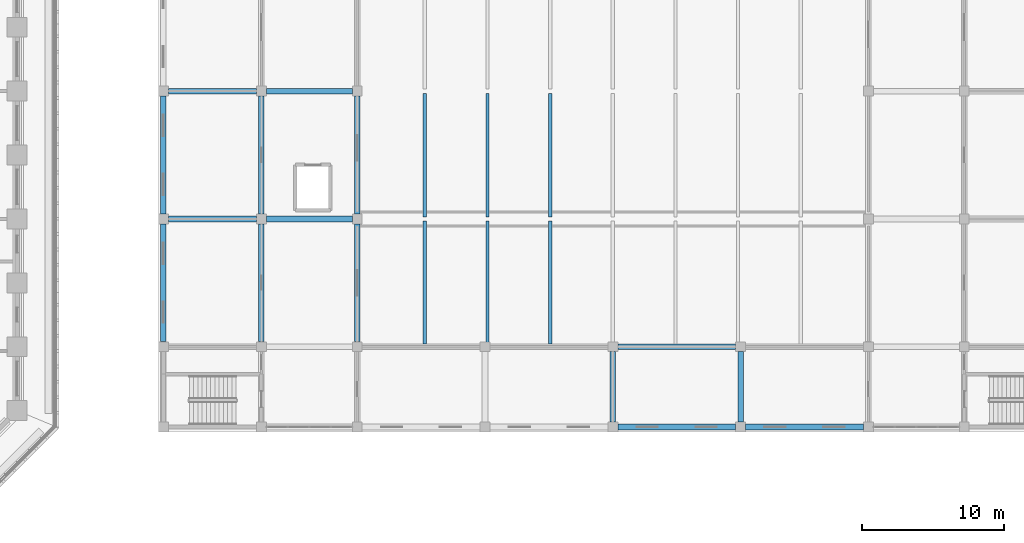
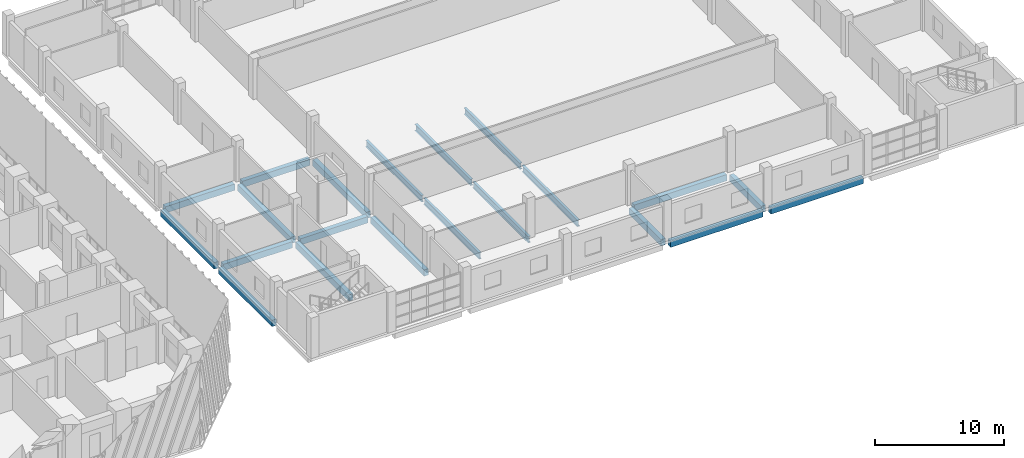
# One storey, part 3 of 31: 21 beams.
"""IFC4 building model written with IfcOpenShell, lengths in metres."""

from ifc_helpers import new_model, si_unit, direction, frame, origin, origin_2d, place, context, subcontext, project, spatial, rectangle, i_section, extrude, material, material_profile, profile_set, type_object, element, save


model = new_model("IFC4")

# Units and contexts
model_context = context("Model", 3, precision=1e-05, world=origin(), true_north=direction((0.0, 1.0)))
body_context = subcontext(model_context, "Body", "Model", "MODEL_VIEW")
ifc_project = project(units=[si_unit("LENGTHUNIT", "METRE"), si_unit("AREAUNIT", "SQUARE_METRE"), si_unit("VOLUMEUNIT", "CUBIC_METRE"), si_unit("PLANEANGLEUNIT", "RADIAN"), si_unit("MASSUNIT", "GRAM", prefix="KILO")], contexts=[model_context])

# Site, building, storey
site_placement = place(None, origin())
site = spatial("IfcSite", under=ifc_project, at=site_placement, CompositionType="ELEMENT")
building_placement = place(site_placement, origin())
building = spatial("IfcBuilding", under=site, at=building_placement, Name="Corbel Stack Research Tower", CompositionType="ELEMENT")
storey_placement = place(building_placement, frame((0.0, 0.0, 15.39990234375)))
storey = spatial("IfcBuildingStorey", under=building, at=storey_placement, Name="L03", CompositionType="ELEMENT", Elevation=15.39990234375)

# Beams
ifc_material_1 = material(Name="Concrete C40/50", Category="concrete")
ifc_material_profile_1 = material_profile(ifc_material_1, rectangle(XDim=0.39990234375, YDim=0.60009765625, at=origin_2d()), Name="RC 400 x 600")
ifc_profile_set_1 = profile_set([ifc_material_profile_1], Name="Concrete C40/50")
beam_type_1 = type_object("IfcBeamType", Name="HB1 RC beam 400 x 600", PredefinedType="BEAM", material=ifc_profile_set_1)
beam_1_placement = place(storey_placement, frame((37.300048828125, -17.64990234375, -0.5498046875), z_axis=(0.0, 1.0, 0.0), x_axis=(-1.0, 0.0, 0.0)))
element("IfcBeam", 1, at=beam_1_placement, inside=storey, type_object=beam_type_1, Name="Floor beam L03 H1HB-H1HC", PredefinedType="BEAM", context=body_context, shape_type="SweptSolid", body=[
    extrude(rectangle(XDim=0.39990234375, YDim=0.60009765625, at=origin_2d()), origin(), (0.0, 0.0, 1.0), 8.2998046875),
])
beam_2_placement = place(storey_placement, frame((37.64990234375, -9.0, -0.5498046875), z_axis=(1.0, 0.0, 0.0), x_axis=(0.0, 1.0, 0.0)))
element("IfcBeam", 2, at=beam_2_placement, inside=storey, type_object=beam_type_1, Name="Floor beam L03 H1HC-H2HC", PredefinedType="BEAM", context=body_context, shape_type="SweptSolid", body=[
    extrude(rectangle(XDim=0.39990234375, YDim=0.60009765625, at=origin_2d()), origin(), (0.0, 0.0, 1.0), 6.2001953125),
])
beam_3_placement = place(storey_placement, frame((37.300048828125, -8.64990234375, -0.5498046875), z_axis=(0.0, 1.0, 0.0), x_axis=(-1.0, 0.0, 0.0)))
element("IfcBeam", 3, at=beam_3_placement, inside=storey, type_object=beam_type_1, Name="Floor beam L03 H1HC-H1HD", PredefinedType="BEAM", context=body_context, shape_type="SweptSolid", body=[
    extrude(rectangle(XDim=0.39990234375, YDim=0.60009765625, at=origin_2d()), origin(), (0.0, 0.0, 1.0), 8.2998046875),
])
beam_4_placement = place(storey_placement, frame((37.64990234375, 0.0, -0.5498046875), z_axis=(1.0, 0.0, 0.0), x_axis=(0.0, 1.0, 0.0)))
element("IfcBeam", 4, at=beam_4_placement, inside=storey, type_object=beam_type_1, Name="Floor beam L03 H1HD-H2HD", PredefinedType="BEAM", context=body_context, shape_type="SweptSolid", body=[
    extrude(rectangle(XDim=0.39990234375, YDim=0.60009765625, at=origin_2d()), origin(), (0.0, 0.0, 1.0), 6.2001953125),
])
beam_5_placement = place(storey_placement, frame((44.199951171875, -17.64990234375, -0.5498046875), z_axis=(0.0, 1.0, 0.0), x_axis=(-1.0, 0.0, 0.0)))
element("IfcBeam", 5, at=beam_5_placement, inside=storey, type_object=beam_type_1, Name="Floor beam L03 H2HB-H2HC", PredefinedType="BEAM", context=body_context, shape_type="SweptSolid", body=[
    extrude(rectangle(XDim=0.39990234375, YDim=0.60009765625, at=origin_2d()), origin(), (0.0, 0.0, 1.0), 8.2998046875),
])
beam_6_placement = place(storey_placement, frame((44.550048828125, -9.0, -0.5498046875), z_axis=(1.0, 0.0, 0.0), x_axis=(0.0, 1.0, 0.0)))
element("IfcBeam", 6, at=beam_6_placement, inside=storey, type_object=beam_type_1, Name="Floor beam L03 H2HC-H3HC", PredefinedType="BEAM", context=body_context, shape_type="SweptSolid", body=[
    extrude(rectangle(XDim=0.39990234375, YDim=0.60009765625, at=origin_2d()), origin(), (0.0, 0.0, 1.0), 6.050048828125),
])
beam_7_placement = place(storey_placement, frame((44.199951171875, -8.64990234375, -0.5498046875), z_axis=(0.0, 1.0, 0.0), x_axis=(-1.0, 0.0, 0.0)))
element("IfcBeam", 7, at=beam_7_placement, inside=storey, type_object=beam_type_1, Name="Floor beam L03 H2HC-H2HD", PredefinedType="BEAM", context=body_context, shape_type="SweptSolid", body=[
    extrude(rectangle(XDim=0.39990234375, YDim=0.60009765625, at=origin_2d()), origin(), (0.0, 0.0, 1.0), 8.2998046875),
])
beam_8_placement = place(storey_placement, frame((44.550048828125, 0.0, -0.5498046875), z_axis=(1.0, 0.0, 0.0), x_axis=(0.0, 1.0, 0.0)))
element("IfcBeam", 8, at=beam_8_placement, inside=storey, type_object=beam_type_1, Name="Floor beam L03 H2HD-H3HD", PredefinedType="BEAM", context=body_context, shape_type="SweptSolid", body=[
    extrude(rectangle(XDim=0.39990234375, YDim=0.60009765625, at=origin_2d()), origin(), (0.0, 0.0, 1.0), 6.050048828125),
])
for number, where, z_axis, x_axis, name in (
    (9, (50.949951171875, -17.64990234375, -0.5498046875), (0.0, 1.0, 0.0), (-1.0, 0.0, 0.0), "Floor beam L03 H3HB-H3HC"),
    (10, (50.949951171875, -8.64990234375, -0.5498046875), (0.0, 1.0, 0.0), (-1.0, 0.0, 0.0), "Floor beam L03 H3HC-H3HD"),
):
    element("IfcBeam", number, at=place(storey_placement, frame(where, z_axis=z_axis, x_axis=x_axis)), inside=storey, type_object=beam_type_1, Name=name, PredefinedType="BEAM", context=body_context, shape_type="SweptSolid", body=[
        extrude(rectangle(XDim=0.39990234375, YDim=0.60009765625, at=origin_2d()), origin(), (0.0, 0.0, 1.0), 8.2998046875),
    ])
beam_9_placement = place(storey_placement, frame((69.300048828125, -23.64990234375, -0.5498046875), z_axis=(1.0, 0.0, 0.0), x_axis=(0.0, 1.0, 0.0)))
element("IfcBeam", 11, at=beam_9_placement, inside=storey, type_object=beam_type_1, Name="Floor beam L03 H5HA-H6HA", PredefinedType="BEAM", context=body_context, shape_type="SweptSolid", body=[
    extrude(rectangle(XDim=0.39990234375, YDim=0.60009765625, at=origin_2d()), origin(), (0.0, 0.0, 1.0), 8.300048828125),
])
beam_10_placement = place(storey_placement, frame((68.949951171875, -23.300048828125, -0.5498046875), z_axis=(0.0, 1.0, 0.0), x_axis=(-1.0, 0.0, 0.0)))
element("IfcBeam", 12, at=beam_10_placement, inside=storey, type_object=beam_type_1, Name="Floor beam L03 H5HA-H5HB", PredefinedType="BEAM", context=body_context, shape_type="SweptSolid", body=[
    extrude(rectangle(XDim=0.39990234375, YDim=0.60009765625, at=origin_2d()), origin(), (0.0, 0.0, 1.0), 4.949951171875),
])
for number, where, z_axis, x_axis, name in (
    (13, (69.300048828125, -18.0, -0.5498046875), (1.0, 0.0, 0.0), (0.0, 1.0, 0.0), "Floor beam L03 H5HB-H6HB"),
    (14, (78.300048828125, -23.64990234375, -0.5498046875), (1.0, 0.0, 0.0), (0.0, 1.0, 0.0), "Floor beam L03 H6HA-H7HA"),
):
    element("IfcBeam", number, at=place(storey_placement, frame(where, z_axis=z_axis, x_axis=x_axis)), inside=storey, type_object=beam_type_1, Name=name, PredefinedType="BEAM", context=body_context, shape_type="SweptSolid", body=[
        extrude(rectangle(XDim=0.39990234375, YDim=0.60009765625, at=origin_2d()), origin(), (0.0, 0.0, 1.0), 8.300048828125),
    ])
beam_11_placement = place(storey_placement, frame((77.949951171875, -23.300048828125, -0.5498046875), z_axis=(0.0, 1.0, 0.0), x_axis=(-1.0, 0.0, 0.0)))
element("IfcBeam", 15, at=beam_11_placement, inside=storey, type_object=beam_type_1, Name="Floor beam L03 H6HA-H6HB", PredefinedType="BEAM", context=body_context, shape_type="SweptSolid", body=[
    extrude(rectangle(XDim=0.39990234375, YDim=0.60009765625, at=origin_2d()), origin(), (0.0, 0.0, 1.0), 4.949951171875),
])
ifc_material_2 = material(Name="Steel S355", Category="steel")
ifc_material_profile_2 = material_profile(ifc_material_2, i_section(OverallWidth=0.22802734375, OverallDepth=0.60302734375, WebThickness=0.010986328125, FlangeThickness=0.014892578125, at=origin_2d()), Name="W24x68")
ifc_profile_set_2 = profile_set([ifc_material_profile_2], Name="Steel S355")
beam_type_2 = type_object("IfcBeamType", Name="HB2 steel beam W24x68", PredefinedType="BEAM", material=ifc_profile_set_2)
for number, where, z_axis, x_axis, name in (
    (16, (55.71240234375, -17.800048828125, -0.551513671875), (0.0, 1.0, 0.0), (-1.0, 0.0, 0.0), "Steel floor beam L03 bay 1 line 1"),
    (17, (60.125, -17.800048828125, -0.551513671875), (0.0, 1.0, 0.0), (-1.0, 0.0, 0.0), "Steel floor beam L03 bay 1 line 2"),
    (18, (64.53759765625, -17.800048828125, -0.551513671875), (0.0, 1.0, 0.0), (-1.0, 0.0, 0.0), "Steel floor beam L03 bay 1 line 3"),
):
    element("IfcBeam", number, at=place(storey_placement, frame(where, z_axis=z_axis, x_axis=x_axis)), inside=storey, type_object=beam_type_2, Name=name, PredefinedType="BEAM", context=body_context, shape_type="SweptSolid", body=[
        extrude(i_section(OverallWidth=0.22802734375, OverallDepth=0.60302734375, WebThickness=0.010986328125, FlangeThickness=0.014892578125, at=origin_2d()), origin(), (0.0, 0.0, 1.0), 8.6474609375),
    ])
for number, where, z_axis, x_axis, name in (
    (19, (55.71240234375, -8.847412109375, -0.551513671875), (0.0, 1.0, 0.0), (-1.0, 0.0, 0.0), "Steel floor beam L03 bay 2 line 1"),
    (20, (60.125, -8.847412109375, -0.551513671875), (0.0, 1.0, 0.0), (-1.0, 0.0, 0.0), "Steel floor beam L03 bay 2 line 2"),
    (21, (64.53759765625, -8.847412109375, -0.551513671875), (0.0, 1.0, 0.0), (-1.0, 0.0, 0.0), "Steel floor beam L03 bay 2 line 3"),
):
    element("IfcBeam", number, at=place(storey_placement, frame(where, z_axis=z_axis, x_axis=x_axis)), inside=storey, type_object=beam_type_2, Name=name, PredefinedType="BEAM", context=body_context, shape_type="SweptSolid", body=[
        extrude(i_section(OverallWidth=0.22802734375, OverallDepth=0.60302734375, WebThickness=0.010986328125, FlangeThickness=0.014892578125, at=origin_2d()), origin(), (0.0, 0.0, 1.0), 8.69482421875),
    ])

save(model, "model.ifc")
